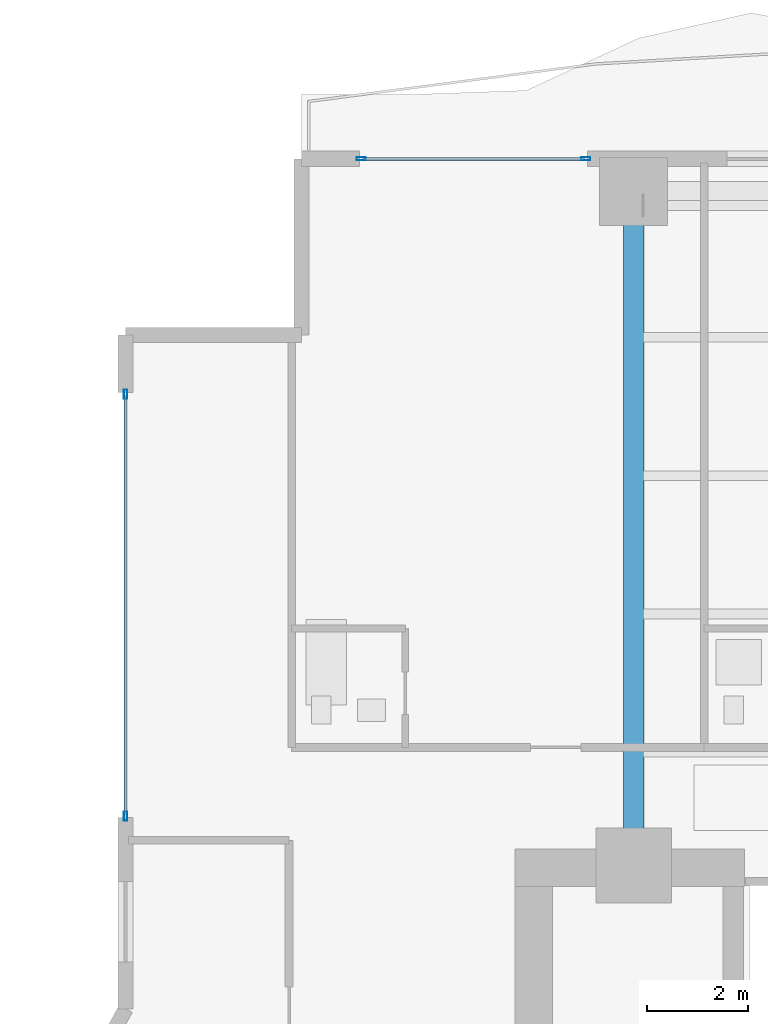
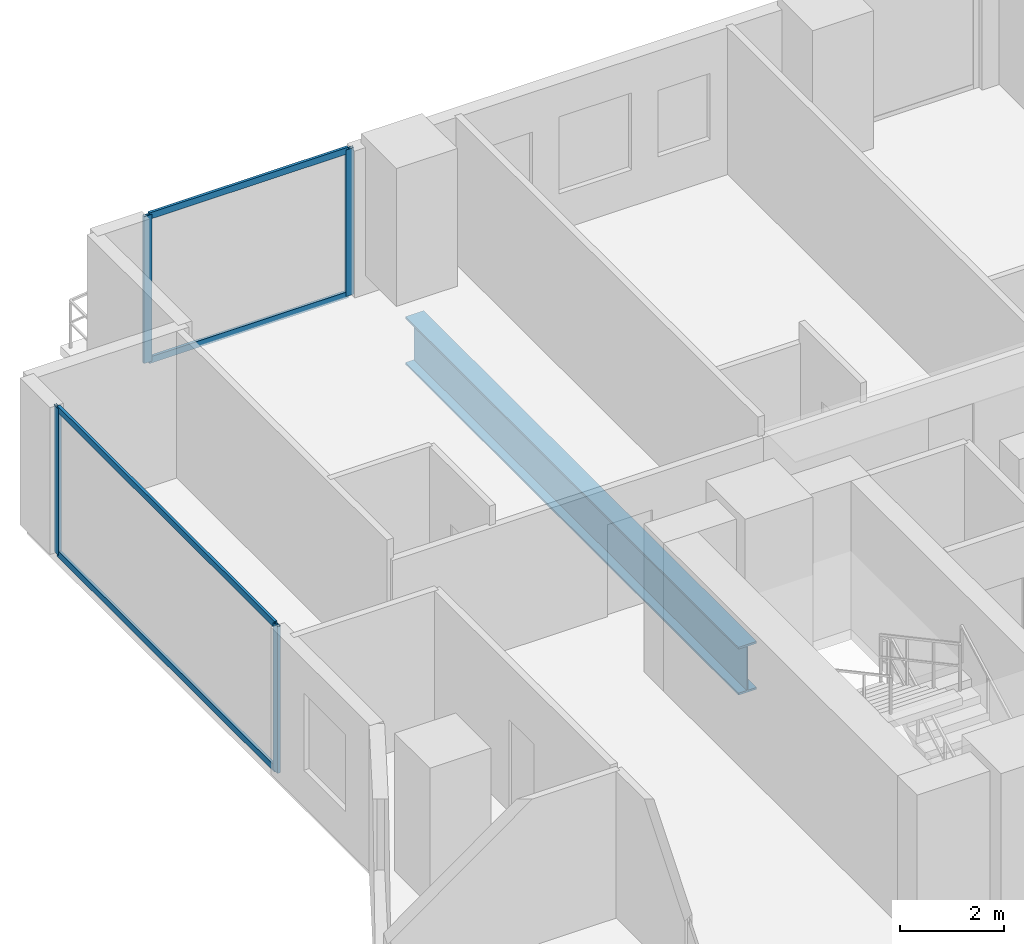
# One storey, part 14 of 29: 8 members, 1 beam, 2 elements without a shape of their own.
"""IFC4 building model written with IfcOpenShell, lengths in metres."""

from ifc_helpers import new_model, si_unit, direction, frame, origin, origin_2d, place, context, subcontext, project, spatial, hollow_rectangle, i_section, extrude, material, layer, layer_set, material_profile, profile_set, type_object, element, aggregate, save


model = new_model("IFC4")

# Units and contexts
model_context = context("Model", 3, precision=1e-05, world=origin(), true_north=direction((0.0, 1.0)))
body_context = subcontext(model_context, "Body", "Model", "MODEL_VIEW")
ifc_project = project(units=[si_unit("LENGTHUNIT", "METRE"), si_unit("AREAUNIT", "SQUARE_METRE"), si_unit("VOLUMEUNIT", "CUBIC_METRE"), si_unit("PLANEANGLEUNIT", "RADIAN"), si_unit("MASSUNIT", "GRAM", prefix="KILO")], contexts=[model_context])

# Site, building, storey
site_placement = place(None, origin())
site = spatial("IfcSite", under=ifc_project, at=site_placement, CompositionType="ELEMENT")
building_placement = place(site_placement, origin())
building = spatial("IfcBuilding", under=site, at=building_placement, Name="Zuhayl Quay Hotel", CompositionType="ELEMENT")
storey_placement = place(building_placement, frame((0.0, 0.0, 95.64990234375)))
storey = spatial("IfcBuildingStorey", under=building, at=storey_placement, Name="L23", CompositionType="ELEMENT", Elevation=95.64990234375)

# Beam
ifc_material_1 = material(Name="Steel ASTM A913 Grade 65", Category="steel")
ifc_material_profile_1 = material_profile(ifc_material_1, i_section(OverallWidth=0.404052734375, OverallDepth=1.117919921875, WebThickness=0.026123046875, FlangeThickness=0.044921875, at=origin_2d()), Name="W44X335")
ifc_profile_set_1 = profile_set([ifc_material_profile_1], Name="Steel ASTM A913 Grade 65")
beam_type = type_object("IfcBeamType", Name="BM_TG1_W44X335", PredefinedType="BEAM", material=ifc_profile_set_1)
beam_placement = place(storey_placement, frame((-13.800048828125, 14.800048828125, -0.81884765625), z_axis=(0.0, 1.0, 0.0), x_axis=(-1.0, 0.0, 0.0)))
element("IfcBeam", 1, at=beam_placement, inside=storey, type_object=beam_type, Name="L23 Floor Beam FG_N_L23_1", PredefinedType="BEAM", context=body_context, shape_type="SweptSolid", body=[
    extrude(i_section(OverallWidth=0.404052734375, OverallDepth=1.117919921875, WebThickness=0.026123046875, FlangeThickness=0.044921875, at=origin_2d()), origin(), (0.0, 0.0, 1.0), 12.75),
])

# Curtain wall, members
ifc_material_2 = material(Name="Anodised Aluminium 6063-T6", Category="aluminium")
ifc_layer = layer(ifc_material_2, 0.179931640625, Name="Anodised Aluminium 6063-T6", Category="aluminium")
ifc_layer_set = layer_set([ifc_layer], Name="Anodised Aluminium 6063-T6")
curtain_wall_type = type_object("IfcCurtainWallType", Name="CW_SYS_Z2", PredefinedType="USERDEFINED", material=ifc_layer_set)
curtain_wall_1_placement = place(storey_placement, origin())
curtain_wall_1 = element("IfcCurtainWall", 2, at=curtain_wall_1_placement, inside=storey, type_object=curtain_wall_type, Name="L23 Curtain Wall ENV_L23_E05_CW1", ObjectType="UNITISED CURTAIN WALL", PredefinedType="USERDEFINED")
ifc_material_3 = material(Name="Black-anodised aluminium 6063-T6", Category="aluminium")
ifc_material_profile_2 = material_profile(ifc_material_3, hollow_rectangle(XDim=0.06494140625, YDim=0.179931640625, WallThickness=0.00341796875, at=origin_2d()), Name="ALU180X65")
ifc_profile_set_2 = profile_set([ifc_material_profile_2], Name="Black-anodised aluminium 6063-T6")
member_type_1 = type_object("IfcMemberType", Name="MB_CW_MUL_180", PredefinedType="MULLION", material=ifc_profile_set_2)
member_1_placement = place(storey_placement, frame((-23.89990234375, 15.33251953125, 0.0), z_axis=(0.0, 0.0, 1.0), x_axis=(-1.0, 0.0, 0.0)))
member_1 = element("IfcMember", 3, at=member_1_placement, type_object=member_type_1, Name="CW-Z2 mullion 1", PredefinedType="MULLION", context=body_context, shape_type="SweptSolid", body=[
    extrude(hollow_rectangle(XDim=0.06494140625, YDim=0.179931640625, WallThickness=0.00341796875, at=origin_2d()), origin(), (0.0, 0.0, 1.0), 3.43017578125),
])
member_2_placement = place(storey_placement, frame((-23.89990234375, 23.717529296875, 0.0), z_axis=(0.0, 0.0, 1.0), x_axis=(-1.0, 0.0, 0.0)))
member_2 = element("IfcMember", 4, at=member_2_placement, type_object=member_type_1, Name="CW-Z2 mullion 2", PredefinedType="MULLION", context=body_context, shape_type="SweptSolid", body=[
    extrude(hollow_rectangle(XDim=0.06494140625, YDim=0.179931640625, WallThickness=0.00341796875, at=origin_2d()), origin(), (0.0, 0.0, 1.0), 3.43017578125),
])

curtain_wall_2_placement = place(storey_placement, origin())
curtain_wall_2 = element("IfcCurtainWall", 5, at=curtain_wall_2_placement, inside=storey, type_object=curtain_wall_type, Name="L23 Curtain Wall ENV_L23_N_CW1", ObjectType="UNITISED CURTAIN WALL", PredefinedType="USERDEFINED")
member_3_placement = place(storey_placement, frame((-19.217529296875, 28.39990234375, 0.0), z_axis=(0.0, 0.0, 1.0), x_axis=(0.0, 1.0, 0.0)))
member_3 = element("IfcMember", 6, at=member_3_placement, type_object=member_type_1, Name="CW-Z2 mullion 1", PredefinedType="MULLION", context=body_context, shape_type="SweptSolid", body=[
    extrude(hollow_rectangle(XDim=0.06494140625, YDim=0.179931640625, WallThickness=0.00341796875, at=origin_2d()), origin(), (0.0, 0.0, 1.0), 3.43017578125),
])
member_4_placement = place(storey_placement, frame((-14.75244140625, 28.39990234375, 0.0), z_axis=(0.0, 0.0, 1.0), x_axis=(0.0, 1.0, 0.0)))
member_4 = element("IfcMember", 7, at=member_4_placement, type_object=member_type_1, Name="CW-Z2 mullion 2", PredefinedType="MULLION", context=body_context, shape_type="SweptSolid", body=[
    extrude(hollow_rectangle(XDim=0.06494140625, YDim=0.179931640625, WallThickness=0.00341796875, at=origin_2d()), origin(), (0.0, 0.0, 1.0), 3.43017578125),
])

# Member
ifc_material_profile_3 = material_profile(ifc_material_3, hollow_rectangle(XDim=0.06005859375, YDim=0.14990234375, WallThickness=0.00341796875, at=origin_2d()), Name="ALU150X60")
ifc_profile_set_3 = profile_set([ifc_material_profile_3], Name="Black-anodised aluminium 6063-T6")
member_type_2 = type_object("IfcMemberType", Name="MB_CW_TRN_150", PredefinedType="USERDEFINED", material=ifc_profile_set_3)
member_5_placement = place(storey_placement, frame((-23.89990234375, 15.364990234375, 0.030029296875), z_axis=(0.0, 1.0, 0.0), x_axis=(-1.0, 0.0, 0.0)))
member_5 = element("IfcMember", 8, at=member_5_placement, type_object=member_type_2, Name="CW-Z2 transom 1.1", ObjectType="TRANSOM", PredefinedType="USERDEFINED", context=body_context, shape_type="SweptSolid", body=[
    extrude(hollow_rectangle(XDim=0.06005859375, YDim=0.14990234375, WallThickness=0.00341796875, at=origin_2d()), origin(), (0.0, 0.0, 1.0), 8.320068359375),
])

member_6_placement = place(storey_placement, frame((-23.89990234375, 15.364990234375, 3.400146484375), z_axis=(0.0, 1.0, 0.0), x_axis=(-1.0, 0.0, 0.0)))
member_6 = element("IfcMember", 9, at=member_6_placement, type_object=member_type_2, Name="CW-Z2 transom 1.2", ObjectType="TRANSOM", PredefinedType="USERDEFINED", context=body_context, shape_type="SweptSolid", body=[
    extrude(hollow_rectangle(XDim=0.06005859375, YDim=0.14990234375, WallThickness=0.00341796875, at=origin_2d()), origin(), (0.0, 0.0, 1.0), 8.320068359375),
])

aggregate(curtain_wall_1, [member_1, member_2, member_5, member_6])

member_7_placement = place(storey_placement, frame((-19.18505859375, 28.39990234375, 0.030029296875), z_axis=(1.0, 0.0, 0.0), x_axis=(0.0, 1.0, 0.0)))
member_7 = element("IfcMember", 10, at=member_7_placement, type_object=member_type_2, Name="CW-Z2 transom 1.1", ObjectType="TRANSOM", PredefinedType="USERDEFINED", context=body_context, shape_type="SweptSolid", body=[
    extrude(hollow_rectangle(XDim=0.06005859375, YDim=0.14990234375, WallThickness=0.00341796875, at=origin_2d()), origin(), (0.0, 0.0, 1.0), 4.400146484375),
])

member_8_placement = place(storey_placement, frame((-19.18505859375, 28.39990234375, 3.400146484375), z_axis=(1.0, 0.0, 0.0), x_axis=(0.0, 1.0, 0.0)))
member_8 = element("IfcMember", 11, at=member_8_placement, type_object=member_type_2, Name="CW-Z2 transom 1.2", ObjectType="TRANSOM", PredefinedType="USERDEFINED", context=body_context, shape_type="SweptSolid", body=[
    extrude(hollow_rectangle(XDim=0.06005859375, YDim=0.14990234375, WallThickness=0.00341796875, at=origin_2d()), origin(), (0.0, 0.0, 1.0), 4.400146484375),
])

aggregate(curtain_wall_2, [member_3, member_4, member_7, member_8])

save(model, "model.ifc")
